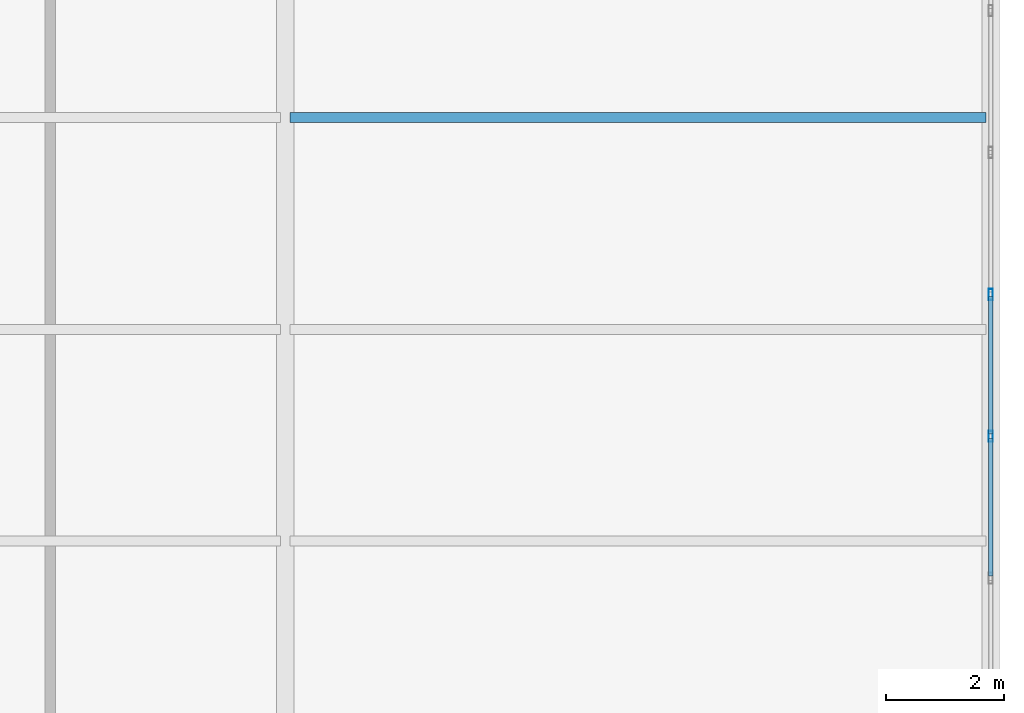
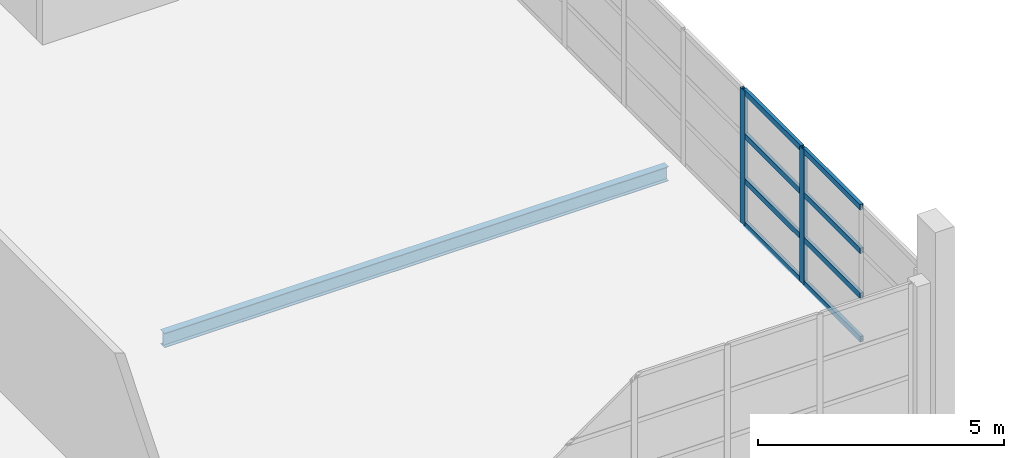
# One storey, part 38 of 86: 10 members, 1 beam, 1 element without a shape of its own.
"""IFC4 building model written with IfcOpenShell, lengths in metres."""

from ifc_helpers import new_model, si_unit, direction, frame, origin, origin_2d, place, context, subcontext, project, spatial, hollow_rectangle, i_section, extrude, material, layer, layer_set, material_profile, profile_set, type_object, element, aggregate, save


model = new_model("IFC4")

# Units and contexts
model_context = context("Model", 3, precision=1e-05, world=origin(), true_north=direction((0.0, 1.0)))
body_context = subcontext(model_context, "Body", "Model", "MODEL_VIEW")
ifc_project = project(units=[si_unit("LENGTHUNIT", "METRE"), si_unit("AREAUNIT", "SQUARE_METRE"), si_unit("VOLUMEUNIT", "CUBIC_METRE"), si_unit("PLANEANGLEUNIT", "RADIAN"), si_unit("MASSUNIT", "GRAM", prefix="KILO")], contexts=[model_context])

# Site, building, storey
site_placement = place(None, origin())
site = spatial("IfcSite", under=ifc_project, at=site_placement, CompositionType="ELEMENT")
building_placement = place(site_placement, origin())
building = spatial("IfcBuilding", under=site, at=building_placement, Name="Zilviju Railside Exhibition Hall", CompositionType="ELEMENT")
storey_placement = place(building_placement, frame((0.0, 0.0, 12.60009765625)))
storey = spatial("IfcBuildingStorey", under=building, at=storey_placement, Name="L04", CompositionType="ELEMENT", Elevation=12.60009765625)

# Beam
ifc_material_1 = material(Name="Steel S355J2", Category="steel")
ifc_material_profile_1 = material_profile(ifc_material_1, i_section(OverallWidth=0.169921875, OverallDepth=0.360107421875, WebThickness=0.008056640625, FlangeThickness=0.0126953125, at=origin_2d()), Name="IPE 360")
ifc_profile_set_1 = profile_set([ifc_material_profile_1], Name="Steel S355J2")
beam_type = type_object("IfcBeamType", Name="BM-IPE360", PredefinedType="JOIST", material=ifc_profile_set_1)
beam_placement = place(storey_placement, frame((204.080078125, 94.800048828125, -0.510009765625), z_axis=(1.0, 0.0, 0.0), x_axis=(0.0, 1.0, 0.0)))
element("IfcBeam", 1, at=beam_placement, inside=storey, type_object=beam_type, Name="Composite Floor Joist L04 Y=94.80 (204.0..216.0)", PredefinedType="JOIST", context=body_context, shape_type="SweptSolid", body=[
    extrude(i_section(OverallWidth=0.169921875, OverallDepth=0.360107421875, WebThickness=0.008056640625, FlangeThickness=0.0126953125, at=origin_2d()), origin(), (0.0, 0.0, 1.0), 11.83984375),
])

# Curtain wall, members
ifc_material_2 = material(Name="Thermally broken aluminium-steel triple-glazed curtain wall", Category="steel")
ifc_layer = layer(ifc_material_2, 0.179931640625)
ifc_layer_set = layer_set([ifc_layer], Name="Thermally broken aluminium-steel triple-glazed curtain wall")
curtain_wall_type = type_object("IfcCurtainWallType", Name="CW-BAY-13", PredefinedType="USERDEFINED", material=ifc_layer_set)
curtain_wall_placement = place(storey_placement, origin())
curtain_wall = element("IfcCurtainWall", 2, at=curtain_wall_placement, inside=storey, type_object=curtain_wall_type, Name="North Hall East Glazed Gable L04 (84..102)", ObjectType="GLAZED CURTAIN WALL", PredefinedType="USERDEFINED")
ifc_material_3 = material(Name="Thermally broken anodized aluminium mullion", Category="aluminium")
ifc_material_profile_2 = material_profile(ifc_material_3, hollow_rectangle(XDim=0.074951171875, YDim=0.18994140625, WallThickness=0.0048828125, at=origin_2d()), Name="MULLION 190x75x5")
ifc_profile_set_2 = profile_set([ifc_material_profile_2], Name="Thermally broken anodized aluminium mullion")
member_type_1 = type_object("IfcMemberType", Name="CWM-75x190", PredefinedType="MULLION", material=ifc_profile_set_2)
member_1_placement = place(storey_placement, frame((216.0, 91.79296875, 0.0), z_axis=(0.0, 0.0, 1.0), x_axis=(1.0, 0.0, 0.0)))
member_1 = element("IfcMember", 3, at=member_1_placement, type_object=member_type_1, Name="CW-13 mullion 5", PredefinedType="MULLION", context=body_context, shape_type="SweptSolid", body=[
    extrude(hollow_rectangle(XDim=0.074951171875, YDim=0.18994140625, WallThickness=0.0048828125, at=origin_2d()), origin(), (0.0, 0.0, 1.0), 3.349853515625),
])
member_2_placement = place(storey_placement, frame((216.0, 89.378662109375, 0.0), z_axis=(0.0, 0.0, 1.0), x_axis=(1.0, 0.0, 0.0)))
member_2 = element("IfcMember", 4, at=member_2_placement, type_object=member_type_1, Name="CW-13 mullion 6", PredefinedType="MULLION", context=body_context, shape_type="SweptSolid", body=[
    extrude(hollow_rectangle(XDim=0.074951171875, YDim=0.18994140625, WallThickness=0.0048828125, at=origin_2d()), origin(), (0.0, 0.0, 1.0), 3.349853515625),
])
ifc_material_4 = material(Name="Thermally broken anodized aluminium transom", Category="aluminium")
ifc_material_profile_3 = material_profile(ifc_material_4, hollow_rectangle(XDim=0.074951171875, YDim=0.139892578125, WallThickness=0.0048828125, at=origin_2d()), Name="TRANSOM 140x75x5")
ifc_profile_set_3 = profile_set([ifc_material_profile_3], Name="Thermally broken anodized aluminium transom")
member_type_2 = type_object("IfcMemberType", Name="CWT-75x140", PredefinedType="USERDEFINED", material=ifc_profile_set_3)
member_3_placement = place(storey_placement, frame((216.0, 91.75537109375, 0.037353515625), z_axis=(0.0, -1.0, 0.0), x_axis=(1.0, 0.0, 0.0)))
member_3 = element("IfcMember", 5, at=member_3_placement, type_object=member_type_2, Name="CW-13 transom 5.1", ObjectType="TRANSOM", PredefinedType="USERDEFINED", context=body_context, shape_type="SweptSolid", body=[
    extrude(hollow_rectangle(XDim=0.074951171875, YDim=0.139892578125, WallThickness=0.0048828125, at=origin_2d()), origin(), (0.0, 0.0, 1.0), 2.33935546875),
])
member_4_placement = place(storey_placement, frame((216.0, 91.75537109375, 1.116943359375), z_axis=(0.0, -1.0, 0.0), x_axis=(1.0, 0.0, 0.0)))
member_4 = element("IfcMember", 6, at=member_4_placement, type_object=member_type_2, Name="CW-13 transom 5.2", ObjectType="TRANSOM", PredefinedType="USERDEFINED", context=body_context, shape_type="SweptSolid", body=[
    extrude(hollow_rectangle(XDim=0.074951171875, YDim=0.139892578125, WallThickness=0.0048828125, at=origin_2d()), origin(), (0.0, 0.0, 1.0), 2.33935546875),
])
member_5_placement = place(storey_placement, frame((216.0, 91.75537109375, 2.23291015625), z_axis=(0.0, -1.0, 0.0), x_axis=(1.0, 0.0, 0.0)))
member_5 = element("IfcMember", 7, at=member_5_placement, type_object=member_type_2, Name="CW-13 transom 5.3", ObjectType="TRANSOM", PredefinedType="USERDEFINED", context=body_context, shape_type="SweptSolid", body=[
    extrude(hollow_rectangle(XDim=0.074951171875, YDim=0.139892578125, WallThickness=0.0048828125, at=origin_2d()), origin(), (0.0, 0.0, 1.0), 2.33935546875),
])
member_6_placement = place(storey_placement, frame((216.0, 91.75537109375, 3.3125), z_axis=(0.0, -1.0, 0.0), x_axis=(1.0, 0.0, 0.0)))
member_6 = element("IfcMember", 8, at=member_6_placement, type_object=member_type_2, Name="CW-13 transom 5.4", ObjectType="TRANSOM", PredefinedType="USERDEFINED", context=body_context, shape_type="SweptSolid", body=[
    extrude(hollow_rectangle(XDim=0.074951171875, YDim=0.139892578125, WallThickness=0.0048828125, at=origin_2d()), origin(), (0.0, 0.0, 1.0), 2.33935546875),
])
member_7_placement = place(storey_placement, frame((216.0, 89.341064453125, 0.037353515625), z_axis=(0.0, -1.0, 0.0), x_axis=(1.0, 0.0, 0.0)))
member_7 = element("IfcMember", 9, at=member_7_placement, type_object=member_type_2, Name="CW-13 transom 6.1", ObjectType="TRANSOM", PredefinedType="USERDEFINED", context=body_context, shape_type="SweptSolid", body=[
    extrude(hollow_rectangle(XDim=0.074951171875, YDim=0.139892578125, WallThickness=0.0048828125, at=origin_2d()), origin(), (0.0, 0.0, 1.0), 2.33935546875),
])
member_8_placement = place(storey_placement, frame((216.0, 89.341064453125, 1.116943359375), z_axis=(0.0, -1.0, 0.0), x_axis=(1.0, 0.0, 0.0)))
member_8 = element("IfcMember", 10, at=member_8_placement, type_object=member_type_2, Name="CW-13 transom 6.2", ObjectType="TRANSOM", PredefinedType="USERDEFINED", context=body_context, shape_type="SweptSolid", body=[
    extrude(hollow_rectangle(XDim=0.074951171875, YDim=0.139892578125, WallThickness=0.0048828125, at=origin_2d()), origin(), (0.0, 0.0, 1.0), 2.33935546875),
])
member_9_placement = place(storey_placement, frame((216.0, 89.341064453125, 2.23291015625), z_axis=(0.0, -1.0, 0.0), x_axis=(1.0, 0.0, 0.0)))
member_9 = element("IfcMember", 11, at=member_9_placement, type_object=member_type_2, Name="CW-13 transom 6.3", ObjectType="TRANSOM", PredefinedType="USERDEFINED", context=body_context, shape_type="SweptSolid", body=[
    extrude(hollow_rectangle(XDim=0.074951171875, YDim=0.139892578125, WallThickness=0.0048828125, at=origin_2d()), origin(), (0.0, 0.0, 1.0), 2.33935546875),
])
member_10_placement = place(storey_placement, frame((216.0, 89.341064453125, 3.3125), z_axis=(0.0, -1.0, 0.0), x_axis=(1.0, 0.0, 0.0)))
member_10 = element("IfcMember", 12, at=member_10_placement, type_object=member_type_2, Name="CW-13 transom 6.4", ObjectType="TRANSOM", PredefinedType="USERDEFINED", context=body_context, shape_type="SweptSolid", body=[
    extrude(hollow_rectangle(XDim=0.074951171875, YDim=0.139892578125, WallThickness=0.0048828125, at=origin_2d()), origin(), (0.0, 0.0, 1.0), 2.33935546875),
])
aggregate(curtain_wall, [member_1, member_2, member_3, member_4, member_5, member_6, member_7, member_8, member_9, member_10])

save(model, "model.ifc")
